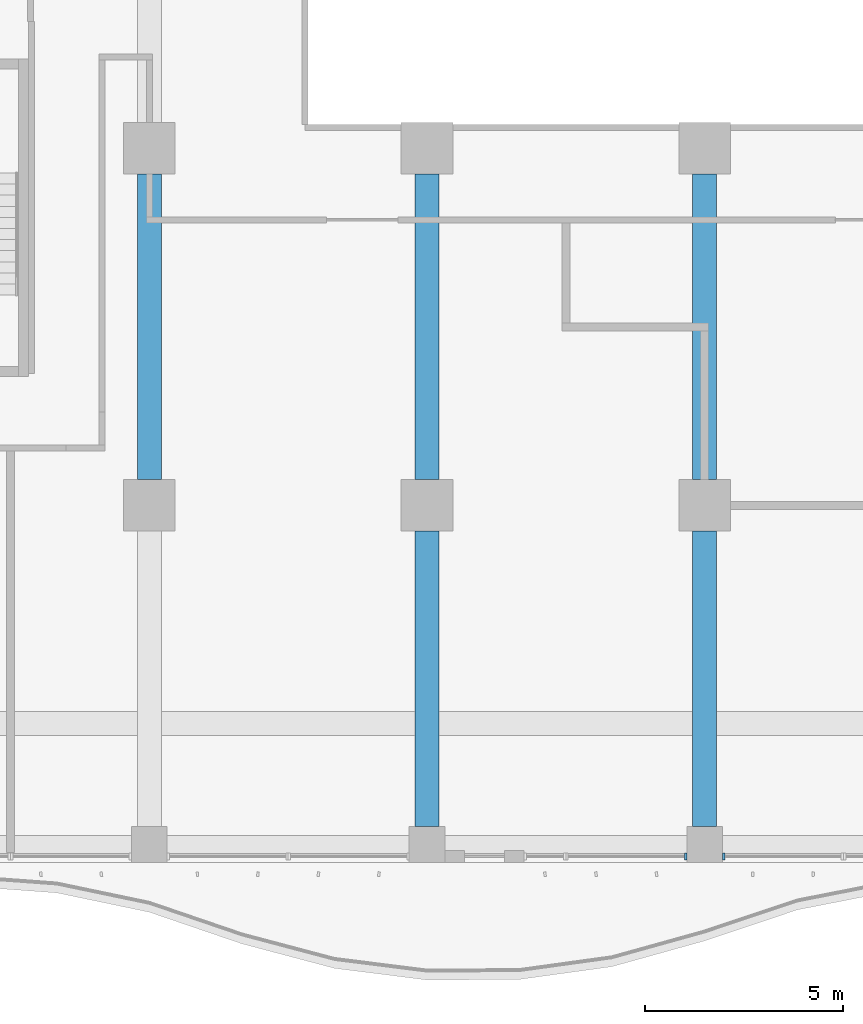
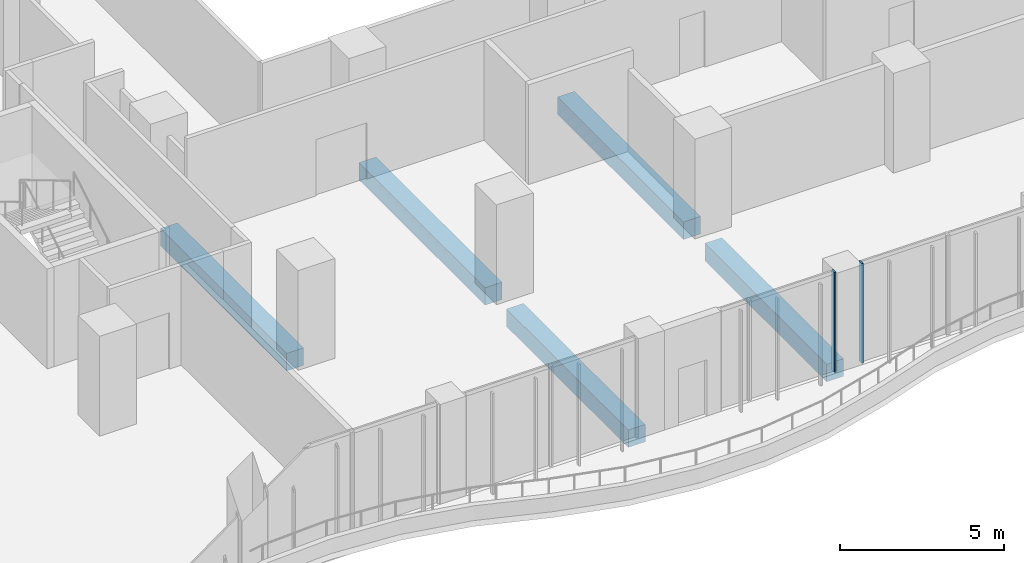
# One storey, part 4 of 26: 5 beams, 2 members, 2 elements without a shape of their own.
"""IFC4 building model written with IfcOpenShell, lengths in metres."""

import ifcopenshell
import ifcopenshell.guid

model = None  # the IFC model being written
_history = None  # IfcOwnerHistory: only IFC2X3 demands one
_inside = {}  # id of a spatial element -> (the spatial element, [elements in it])
_under = {}  # id of a project, library or spatial element -> (it, [spatial elements below it])
_declared = {}  # id of a project -> (the project, [libraries it declares])
_typed = {}  # id of a type object -> (the type object, [elements of that type])
_made_of = {}  # id of a material, layer set ... -> (it, [elements and type objects made of it])


def new_model(schema):
    """Start an empty IFC model of exactly this schema.

    Asked for "IFC4X3", IfcOpenShell would pick the latest addendum, in which some entities
    have other attributes; the version numbers below select the first issue.
    IFC2X3 requires an IfcOwnerHistory on every rooted entity: one is made here for all.
    """
    global model, _history
    if schema == "IFC4X3":
        model = ifcopenshell.file(schema_version=(4, 3, 0, 0))
    else:
        model = ifcopenshell.file(schema=schema)
    _inside.clear()
    _under.clear()
    _declared.clear()
    _typed.clear()
    _made_of.clear()
    _history = None
    if model.schema == "IFC2X3":
        org = make("IfcOrganization", Name="unknown")
        user = make(
            "IfcPersonAndOrganization",
            ThePerson=make("IfcPerson", FamilyName="unknown"),
            TheOrganization=org,
        )
        app = make(
            "IfcApplication",
            ApplicationDeveloper=org,
            Version="unknown",
            ApplicationFullName="unknown",
            ApplicationIdentifier="unknown",
        )
        _history = make(
            "IfcOwnerHistory",
            OwningUser=user,
            OwningApplication=app,
            ChangeAction="ADDED",
            CreationDate=0,
        )
    return model


def make(cls, **values):
    """One entity of the class cls with the attributes given. An attribute that is None is left unset."""
    return model.create_entity(
        cls, **{name: value for name, value in values.items() if value is not None}
    )


def rooted(cls, **values):
    """An entity with a GlobalId (a new one), such as an element, a storey or a relation."""
    return make(cls, GlobalId=ifcopenshell.guid.new(), OwnerHistory=_history, **values)


def si_unit(unit_type, name, prefix=None):
    """IfcSIUnit, for example si_unit("LENGTHUNIT", "METRE", prefix="MILLI")."""
    return make("IfcSIUnit", UnitType=unit_type, Prefix=prefix, Name=name)


def assignment(units):
    """IfcUnitAssignment: the units of a project."""
    return None if units is None else make("IfcUnitAssignment", Units=units)


def point(xyz):
    """IfcCartesianPoint."""
    return None if xyz is None else make("IfcCartesianPoint", Coordinates=xyz)


def direction(xyz):
    """IfcDirection."""
    return None if xyz is None else make("IfcDirection", DirectionRatios=xyz)


def frame(location, z_axis=None, x_axis=None):
    """IfcAxis2Placement3D, a coordinate frame: its origin and axes. An axis left out is left unset."""
    return make(
        "IfcAxis2Placement3D",
        Location=point(location),
        Axis=direction(z_axis),
        RefDirection=direction(x_axis),
    )


def frame_2d(location, x_axis=None):
    """IfcAxis2Placement2D, a coordinate frame in the plane: its origin and x axis."""
    return make(
        "IfcAxis2Placement2D", Location=point(location), RefDirection=direction(x_axis)
    )


def origin():
    """The frame at (0, 0, 0) with its axes left unset."""
    return frame((0.0, 0.0, 0.0))


def origin_2d():
    """The frame at (0, 0) in the plane with its x axis left unset."""
    return frame_2d((0.0, 0.0))


def place(relative_to, where):
    """IfcLocalPlacement: puts the frame where relative to a parent placement (None: the world)."""
    return make(
        "IfcLocalPlacement", PlacementRelTo=relative_to, RelativePlacement=where
    )


def context(
    kind, dimensions, precision=None, world=None, true_north=None, identifier=None
):
    """IfcGeometricRepresentationContext, for example the 3D "Model" context."""
    return make(
        "IfcGeometricRepresentationContext",
        ContextIdentifier=identifier,
        ContextType=kind,
        CoordinateSpaceDimension=dimensions,
        Precision=precision,
        WorldCoordinateSystem=world,
        TrueNorth=true_north,
    )


def subcontext(parent, identifier, kind, view, scale=None):
    """IfcGeometricRepresentationSubContext, for example "Body" below "Model"."""
    return make(
        "IfcGeometricRepresentationSubContext",
        ContextIdentifier=identifier,
        ContextType=kind,
        ParentContext=parent,
        TargetScale=scale,
        TargetView=view,
    )


def project(units=None, contexts=None):
    """IfcProject with its units and contexts."""
    return rooted(
        "IfcProject",
        Name="project",
        RepresentationContexts=contexts,
        UnitsInContext=assignment(units),
    )


def spatial(cls, under=None, at=None, **own):
    """A site, building, storey or space (cls), placed at a placement, below another one or the project."""
    s = rooted(cls, ObjectPlacement=at, **own)
    if under is not None:
        _under.setdefault(under.id(), (under, []))[1].append(s)
    return s


def profile(cls, at=None, kind="AREA", **sizes):
    """A parametric profile (cls). Its sizes go by their IFC names, for example OverallWidth=200.0."""
    return make(cls, ProfileType=kind, Position=at, **sizes)


def rectangle(**sizes):
    """IfcRectangleProfileDef."""
    return profile("IfcRectangleProfileDef", **sizes)


def extrude(swept, where, along, depth):
    """IfcExtrudedAreaSolid: the profile swept, set in the frame where, extruded along a direction by depth."""
    return make(
        "IfcExtrudedAreaSolid",
        SweptArea=swept,
        Position=where,
        ExtrudedDirection=direction(along),
        Depth=depth,
    )


def shape(context_of_items, identifier, shape_type, items):
    """IfcShapeRepresentation: the items that make up one representation, for example the "Body"."""
    return make(
        "IfcShapeRepresentation",
        ContextOfItems=context_of_items,
        RepresentationIdentifier=identifier,
        RepresentationType=shape_type,
        Items=items,
    )


def source(mapping_origin, context_of_items, identifier, shape_type, items):
    """IfcRepresentationMap: a shape defined once, which mapped items show again and again."""
    return make(
        "IfcRepresentationMap",
        MappingOrigin=mapping_origin,
        MappedRepresentation=shape(context_of_items, identifier, shape_type, items),
    )


def transform(
    local_origin,
    x_axis=None,
    y_axis=None,
    z_axis=None,
    scale=None,
    scale2=None,
    scale3=None,
    uniform=True,
):
    """IfcCartesianTransformationOperator3D, or its non-uniform kind. x_axis, y_axis, z_axis: its Axis1, 2, 3."""
    if uniform:
        return make(
            "IfcCartesianTransformationOperator3D",
            Axis1=direction(x_axis),
            Axis2=direction(y_axis),
            LocalOrigin=point(local_origin),
            Scale=scale,
            Axis3=direction(z_axis),
        )
    return make(
        "IfcCartesianTransformationOperator3DnonUniform",
        Axis1=direction(x_axis),
        Axis2=direction(y_axis),
        LocalOrigin=point(local_origin),
        Scale=scale,
        Axis3=direction(z_axis),
        Scale2=scale2,
        Scale3=scale3,
    )


def mapped(mapping_source, mapping_target):
    """IfcMappedItem: shows the shape of a source again, moved by a transform."""
    return make(
        "IfcMappedItem", MappingSource=mapping_source, MappingTarget=mapping_target
    )


def material(Name=None, Category=None):
    """IfcMaterial."""
    return make("IfcMaterial", Name=Name, Category=Category)


def material_profile(
    of_material, cross_section, Name=None, Category=None, Priority=None
):
    """IfcMaterialProfile: a cross section and its material."""
    return make(
        "IfcMaterialProfile",
        Name=Name,
        Material=of_material,
        Profile=cross_section,
        Priority=Priority,
        Category=Category,
    )


def profile_set(profiles, Name=None, composite=None):
    """IfcMaterialProfileSet."""
    return make(
        "IfcMaterialProfileSet",
        Name=Name,
        MaterialProfiles=profiles,
        CompositeProfile=composite,
    )


def made_of(thing, what):
    """Note that an element or type object is made of a material, layer set ...; save() writes the relation."""
    if what is not None:
        _made_of.setdefault(what.id(), (what, []))[1].append(thing)
    return thing


def type_object(cls, material=None, **own):
    """A type object (cls), such as IfcWallType, which elements share."""
    return made_of(rooted(cls, **own), material)


def element(
    cls,
    number,
    at=None,
    inside=None,
    cuts=None,
    type_object=None,
    material=None,
    context=None,
    identifier="Body",
    shape_type=None,
    held_by="IfcProductDefinitionShape",
    body=None,
    shapes=None,
    **own,
):
    """One element of the class cls, such as IfcWall. Its Tag is "e" and its number.

    at: its placement. inside: the storey or other place that contains it. cuts: it is an
    opening in that element (IfcRelVoidsElement). A single representation is given by context,
    identifier, shape_type and body (its items); several are given by shapes. held_by: the class
    of the entity that holds the representations. save() writes the other relations.
    """
    e = rooted(cls, Tag="e%d" % number, ObjectPlacement=at, **own)
    if body is not None:
        shapes = [shape(context, identifier, shape_type, body)]
    if shapes is not None:
        e.Representation = make(held_by, Representations=shapes)
    if inside is not None:
        _inside.setdefault(inside.id(), (inside, []))[1].append(e)
    if cuts is not None:
        rooted(
            "IfcRelVoidsElement", RelatingBuildingElement=cuts, RelatedOpeningElement=e
        )
    if type_object is not None:
        _typed.setdefault(type_object.id(), (type_object, []))[1].append(e)
    return made_of(e, material)


def aggregate(whole, parts):
    """IfcRelAggregates: a whole, such as a stair, and the parts it consists of."""
    return rooted("IfcRelAggregates", RelatingObject=whole, RelatedObjects=parts)


def save(model, path):
    """Write the relations noted so far, then the file.

    IfcRelAggregates (storeys below a building ...), IfcRelContainedInSpatialStructure (elements
    in a storey), IfcRelDefinesByType, IfcRelAssociatesMaterial and IfcRelDeclares: one each for
    every whole, place, type object, material and project.
    """
    for whole, parts in _under.values():
        aggregate(whole, parts)
    for where, things in _inside.values():
        rooted(
            "IfcRelContainedInSpatialStructure",
            RelatedElements=things,
            RelatingStructure=where,
        )
    for kind, things in _typed.values():
        rooted("IfcRelDefinesByType", RelatedObjects=things, RelatingType=kind)
    for what, things in _made_of.values():
        rooted("IfcRelAssociatesMaterial", RelatedObjects=things, RelatingMaterial=what)
    for by, libraries in _declared.values():
        rooted("IfcRelDeclares", RelatingContext=by, RelatedDefinitions=libraries)
    model.write(path)


model = new_model("IFC4")

# Units and contexts
model_context = context("Model", 3, precision=1e-05, world=origin(), true_north=direction((0.0, 1.0)))
body_context = subcontext(model_context, "Body", "Model", "MODEL_VIEW")
ifc_project = project(units=[si_unit("LENGTHUNIT", "METRE"), si_unit("AREAUNIT", "SQUARE_METRE"), si_unit("VOLUMEUNIT", "CUBIC_METRE"), si_unit("PLANEANGLEUNIT", "RADIAN"), si_unit("MASSUNIT", "GRAM", prefix="KILO")], contexts=[model_context])

# Site, building, storey
site_placement = place(None, origin())
site = spatial("IfcSite", under=ifc_project, at=site_placement, CompositionType="ELEMENT")
building_placement = place(site_placement, origin())
building = spatial("IfcBuilding", under=site, at=building_placement, Name="Kilnfold Tower and Market Hall", CompositionType="ELEMENT")
storey_placement = place(building_placement, frame((0.0, 0.0, 31.0)))
storey = spatial("IfcBuildingStorey", under=building, at=storey_placement, Name="L06", CompositionType="ELEMENT", Elevation=31.0)

# Beams
ifc_material_1 = material(Name="Concrete C45", Category="concrete")
ifc_material_profile_1 = material_profile(ifc_material_1, rectangle(XDim=0.60009765625, YDim=0.64990234375, at=origin_2d()), Name="RC 600x650")
ifc_profile_set_1 = profile_set([ifc_material_profile_1], Name="Concrete C45")
beam_type = type_object("IfcBeamType", Name="BEAM 600X650 C45", PredefinedType="BEAM", material=ifc_profile_set_1)
shared_shape_1 = source(origin(), body_context, "Body", "SweptSolid", [
    extrude(rectangle(XDim=0.60009765625, YDim=0.64990234375, at=origin_2d()), origin(), (0.0, 0.0, 1.0), 7.4501953125),
])
for number, where, z_axis, x_axis, name in (
    (1, (-3.5, -27.10009765625, -0.60498046875), (0.0, 1.0, 0.0), (-1.0, 0.0, 0.0), "Beam BB650-B1.43"),
    (2, (3.5, -27.10009765625, -0.60498046875), (0.0, 1.0, 0.0), (-1.0, 0.0, 0.0), "Beam BB650-B1.45"),
):
    element("IfcBeam", number, at=place(storey_placement, frame(where, z_axis=z_axis, x_axis=x_axis)), inside=storey, type_object=beam_type, Name=name, PredefinedType="BEAM", context=body_context, shape_type="MappedRepresentation", body=[
        mapped(shared_shape_1, transform((0.0, 0.0, 0.0))),
    ])
shared_shape_2 = source(origin(), body_context, "Body", "SweptSolid", [
    extrude(rectangle(XDim=0.60009765625, YDim=0.64990234375, at=origin_2d()), origin(), (0.0, 0.0, 1.0), 7.7001953125),
])
for number, where, z_axis, x_axis, name in (
    (3, (-10.5, -18.35009765625, -0.60498046875), (0.0, 1.0, 0.0), (-1.0, 0.0, 0.0), "Beam BB650-B1.41"),
    (4, (-3.5, -18.35009765625, -0.60498046875), (0.0, 1.0, 0.0), (-1.0, 0.0, 0.0), "Beam BB650-B1.44"),
    (5, (3.5, -18.35009765625, -0.60498046875), (0.0, 1.0, 0.0), (-1.0, 0.0, 0.0), "Beam BB650-B1.46"),
):
    element("IfcBeam", number, at=place(storey_placement, frame(where, z_axis=z_axis, x_axis=x_axis)), inside=storey, type_object=beam_type, Name=name, PredefinedType="BEAM", context=body_context, shape_type="MappedRepresentation", body=[
        mapped(shared_shape_2, transform((0.0, 0.0, 0.0))),
    ])

# Curtain wall, member
ifc_material_2 = material(Name="Aluminium and double glazing", Category="aluminium")
curtain_wall_type = type_object("IfcCurtainWallType", Name="CW OF1 VALLEY GLAZING", PredefinedType="NOTDEFINED", material=ifc_material_2)
curtain_wall_1_placement = place(storey_placement, origin())
curtain_wall_1 = element("IfcCurtainWall", 6, at=curtain_wall_1_placement, inside=storey, type_object=curtain_wall_type, Name="Curtain wall CW1 L06 S", PredefinedType="NOTDEFINED")
ifc_material_3 = material(Name="Aluminium", Category="aluminium")
ifc_material_profile_2 = material_profile(ifc_material_3, rectangle(XDim=0.06005859375, YDim=0.179931640625, at=origin_2d()), Name="MULLION 60x180")
ifc_profile_set_2 = profile_set([ifc_material_profile_2], Name="Aluminium")
member_type = type_object("IfcMemberType", Name="MULLION 60X180", PredefinedType="MULLION", material=ifc_profile_set_2)
shared_shape_3 = source(origin(), body_context, "Body", "SweptSolid", [
    extrude(rectangle(XDim=0.06005859375, YDim=0.179931640625, at=origin_2d()), origin(), (0.0, 0.0, 1.0), 3.719970703125),
])
member_1_placement = place(storey_placement, frame((3.02001953125, -27.85009765625, 0.0), z_axis=(0.0, 0.0, 1.0), x_axis=(1.0, 0.0, 0.0)))
member_1 = element("IfcMember", 7, at=member_1_placement, type_object=member_type, Name="CW1 mullion 2", PredefinedType="MULLION", context=body_context, shape_type="MappedRepresentation", body=[
    mapped(shared_shape_3, transform((0.0, 0.0, 0.0))),
])
aggregate(curtain_wall_1, [member_1])

curtain_wall_2_placement = place(storey_placement, origin())
curtain_wall_2 = element("IfcCurtainWall", 8, at=curtain_wall_2_placement, inside=storey, type_object=curtain_wall_type, Name="Curtain wall CW1 L06 S", PredefinedType="NOTDEFINED")
member_2_placement = place(storey_placement, frame((3.97998046875, -27.85009765625, 0.0), z_axis=(0.0, 0.0, 1.0), x_axis=(1.0, 0.0, 0.0)))
member_2 = element("IfcMember", 9, at=member_2_placement, type_object=member_type, Name="CW1 mullion 1", PredefinedType="MULLION", context=body_context, shape_type="MappedRepresentation", body=[
    mapped(shared_shape_3, transform((0.0, 0.0, 0.0))),
])
aggregate(curtain_wall_2, [member_2])

save(model, "model.ifc")
